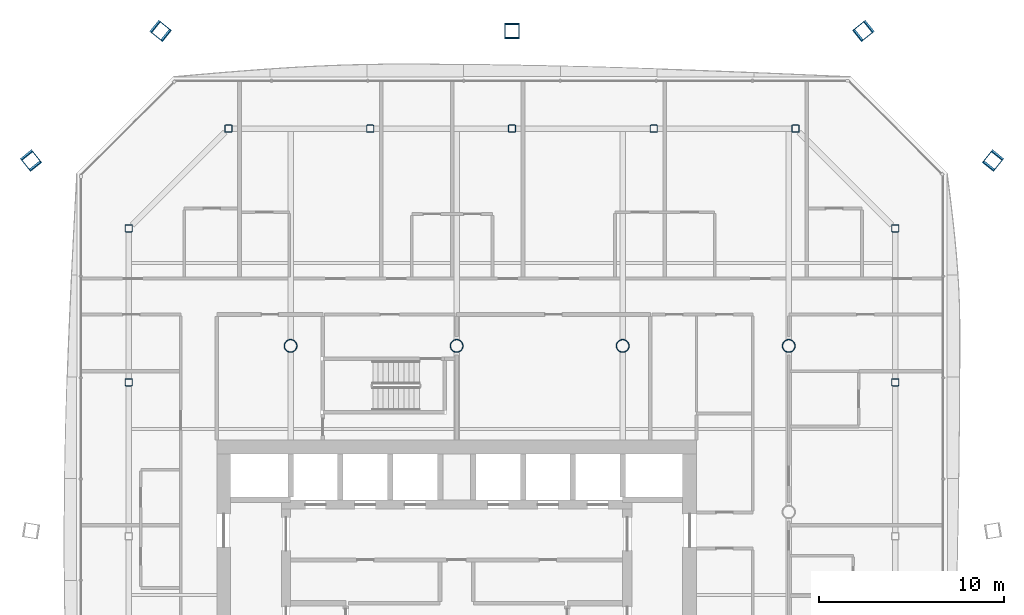
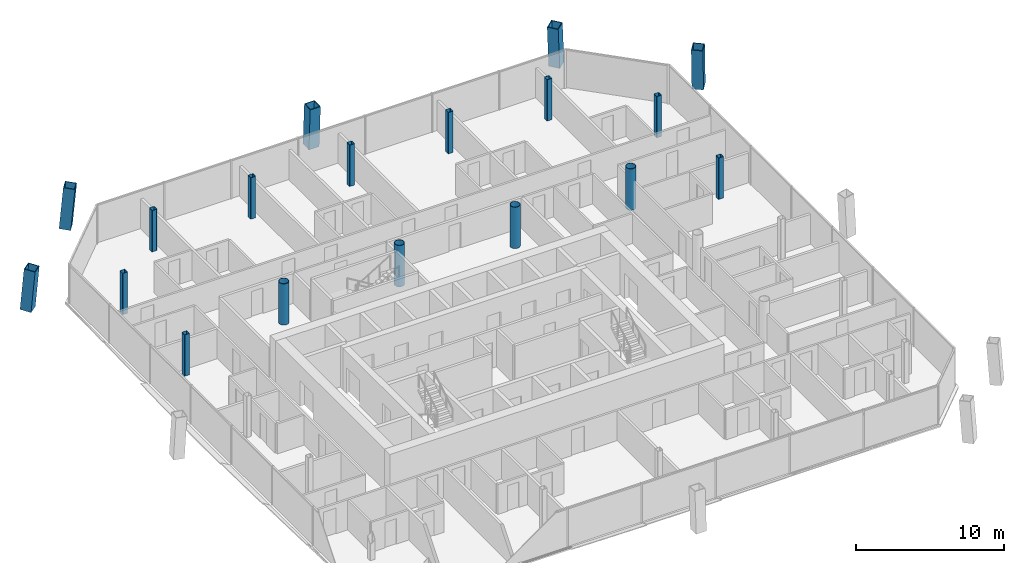
# One storey, part 2 of 21: 18 columns.
"""IFC4 building model written with IfcOpenShell, lengths in metres."""

from ifc_helpers import new_model, si_unit, direction, frame, origin, origin_2d, place, context, subcontext, project, spatial, hollow_rectangle, hollow_circle, extrude, material, material_profile, profile_set, type_object, element, save


model = new_model("IFC4")

# Units and contexts
model_context = context("Model", 3, precision=1e-05, world=origin(), true_north=direction((0.0, 1.0)))
body_context = subcontext(model_context, "Body", "Model", "MODEL_VIEW")
ifc_project = project(units=[si_unit("LENGTHUNIT", "METRE"), si_unit("AREAUNIT", "SQUARE_METRE"), si_unit("VOLUMEUNIT", "CUBIC_METRE"), si_unit("PLANEANGLEUNIT", "RADIAN"), si_unit("MASSUNIT", "GRAM", prefix="KILO")], contexts=[model_context])

# Site, building, storey
site_placement = place(None, origin())
site = spatial("IfcSite", under=ifc_project, at=site_placement, CompositionType="ELEMENT")
building_placement = place(site_placement, origin())
building = spatial("IfcBuilding", under=site, at=building_placement, Name="Tskaro Facet Tower", CompositionType="ELEMENT")
storey_placement = place(building_placement, frame((0.0, 0.0, 128.300048828125)))
storey = spatial("IfcBuildingStorey", under=building, at=storey_placement, Name="L30", CompositionType="ELEMENT", Elevation=128.300048828125)

# Columns
ifc_material_1 = material(Name="Steel S460M", Category="steel")
ifc_material_profile_1 = material_profile(ifc_material_1, hollow_rectangle(XDim=0.800048828125, YDim=0.800048828125, WallThickness=0.050048828125, at=origin_2d()), Name="BOX 800x800x50")
ifc_profile_set_1 = profile_set([ifc_material_profile_1], Name="Steel S460M")
column_type_1 = type_object("IfcColumnType", Name="BOX 800x800x50 mega column", PredefinedType="COLUMN", material=ifc_profile_set_1)
for number, where, z_axis, x_axis, name in (
    (1, (29.10205078125, 19.0849609375, 0.0), (-0.053658986605, -0.06653714339, 0.996340063285), (0.778413039475, -0.62775245119, 0.0), "BOX 800x800x50 MC06/3"),
    (2, (22.0849609375, 26.10205078125, 0.0), (-0.06653714339, -0.053658986605, 0.996340063285), (0.62775245119, -0.778413039475, 0.0), "BOX 800x800x50 MC07/3"),
):
    element("IfcColumn", number, at=place(storey_placement, frame(where, z_axis=z_axis, x_axis=x_axis)), inside=storey, type_object=column_type_1, Name=name, PredefinedType="COLUMN", context=body_context, shape_type="SweptSolid", body=[
        extrude(hollow_rectangle(XDim=0.800048828125, YDim=0.800048828125, WallThickness=0.050048828125, at=origin_2d()), origin(), (0.0, 0.0, 1.0), 3.412353515625),
    ])
column_placement = place(storey_placement, frame((3.0, 26.10205078125, 0.0), z_axis=(0.0, -0.053778161763, 0.998552907621), x_axis=(1.0, 0.0, 0.0)))
element("IfcColumn", 3, at=column_placement, inside=storey, type_object=column_type_1, Name="BOX 800x800x50 MC08/3", PredefinedType="COLUMN", context=body_context, shape_type="SweptSolid", body=[
    extrude(hollow_rectangle(XDim=0.800048828125, YDim=0.800048828125, WallThickness=0.050048828125, at=origin_2d()), origin(), (0.0, 0.0, 1.0), 3.40478515625),
])
for number, where, z_axis, x_axis, name in (
    (4, (-16.0849609375, 26.10205078125, 0.0), (0.06653714339, -0.053658986605, 0.996340063285), (0.62775245119, 0.778413039475, 0.0), "BOX 800x800x50 MC09/3"),
    (5, (-23.10205078125, 19.0849609375, 0.0), (0.053658986605, -0.06653714339, 0.996340063285), (0.778413039475, 0.62775245119, 0.0), "BOX 800x800x50 MC10/3"),
):
    element("IfcColumn", number, at=place(storey_placement, frame(where, z_axis=z_axis, x_axis=x_axis)), inside=storey, type_object=column_type_1, Name=name, PredefinedType="COLUMN", context=body_context, shape_type="SweptSolid", body=[
        extrude(hollow_rectangle(XDim=0.800048828125, YDim=0.800048828125, WallThickness=0.050048828125, at=origin_2d()), origin(), (0.0, 0.0, 1.0), 3.412353515625),
    ])
ifc_material_2 = material(Name="Steel S355J2H", Category="steel")
ifc_material_profile_2 = material_profile(ifc_material_2, hollow_circle(Radius=0.35546875, WallThickness=0.031982421875, at=origin_2d()), Name="CHS 711x32")
ifc_profile_set_2 = profile_set([ifc_material_profile_2], Name="Steel S355J2H")
column_type_2 = type_object("IfcColumnType", Name="CHS 711x32 interior column", PredefinedType="COLUMN", material=ifc_profile_set_2)
for number, where, z_axis, x_axis, name in (
    (6, (-9.0, 9.0, 0.0), (0.0, 0.0, 1.0), (1.0, 0.0, 0.0), "CHS 711x32 C3E/3"),
    (7, (0.0, 9.0, 0.0), (0.0, 0.0, 1.0), (1.0, 0.0, 0.0), "CHS 711x32 C4E/3"),
    (8, (9.0, 9.0, 0.0), (0.0, 0.0, 1.0), (1.0, 0.0, 0.0), "CHS 711x32 C5E/3"),
    (9, (18.0, 9.0, 0.0), (0.0, 0.0, 1.0), (1.0, 0.0, 0.0), "CHS 711x32 C6E/3"),
):
    element("IfcColumn", number, at=place(storey_placement, frame(where, z_axis=z_axis, x_axis=x_axis)), inside=storey, type_object=column_type_2, Name=name, PredefinedType="COLUMN", context=body_context, shape_type="SweptSolid", body=[
        extrude(hollow_circle(Radius=0.35546875, WallThickness=0.031982421875, at=origin_2d()), origin(), (0.0, 0.0, 1.0), 3.39990234375),
    ])
ifc_material_profile_3 = material_profile(ifc_material_2, hollow_rectangle(XDim=0.39990234375, YDim=0.39990234375, WallThickness=0.02001953125, InnerFilletRadius=0.030029296875, OuterFilletRadius=0.050048828125, at=origin_2d()), Name="SHS 400x400x20")
ifc_profile_set_3 = profile_set([ifc_material_profile_3], Name="Steel S355J2H")
column_type_3 = type_object("IfcColumnType", Name="SHS 400x400x20 ring column", PredefinedType="COLUMN", material=ifc_profile_set_3)
for number, where, z_axis, x_axis, name in (
    (10, (23.77392578125, 7.02587890625, 0.0), (0.0, 0.0, 1.0), (1.0, 0.0, 0.0), "SHS 400x400x20 RE-4/3"),
    (11, (23.77392578125, 15.367919921875, 0.0), (0.0, 0.0, 1.0), (1.0, 0.0, 0.0), "SHS 400x400x20 RNE-1/3"),
    (12, (18.367919921875, 20.77392578125, 0.0), (0.0, 0.0, 1.0), (1.0, 0.0, 0.0), "SHS 400x400x20 RN-1/3"),
    (13, (10.68408203125, 20.77392578125, 0.0), (0.0, 0.0, 1.0), (1.0, 0.0, 0.0), "SHS 400x400x20 RN-2/3"),
    (14, (3.0, 20.77392578125, 0.0), (0.0, 0.0, 1.0), (1.0, 0.0, 0.0), "SHS 400x400x20 RN-3/3"),
    (15, (-4.68408203125, 20.77392578125, 0.0), (0.0, 0.0, 1.0), (1.0, 0.0, 0.0), "SHS 400x400x20 RN-4/3"),
    (16, (-12.367919921875, 20.77392578125, 0.0), (0.0, 0.0, 1.0), (1.0, 0.0, 0.0), "SHS 400x400x20 RNW-1/3"),
    (17, (-17.77392578125, 15.367919921875, 0.0), (0.0, 0.0, 1.0), (1.0, 0.0, 0.0), "SHS 400x400x20 RW-1/3"),
    (18, (-17.77392578125, 7.02587890625, 0.0), (0.0, 0.0, 1.0), (1.0, 0.0, 0.0), "SHS 400x400x20 RW-2/3"),
):
    element("IfcColumn", number, at=place(storey_placement, frame(where, z_axis=z_axis, x_axis=x_axis)), inside=storey, type_object=column_type_3, Name=name, PredefinedType="COLUMN", context=body_context, shape_type="SweptSolid", body=[
        extrude(hollow_rectangle(XDim=0.39990234375, YDim=0.39990234375, WallThickness=0.02001953125, InnerFilletRadius=0.030029296875, OuterFilletRadius=0.050048828125, at=origin_2d()), origin(), (0.0, 0.0, 1.0), 3.39990234375),
    ])

save(model, "model.ifc")
